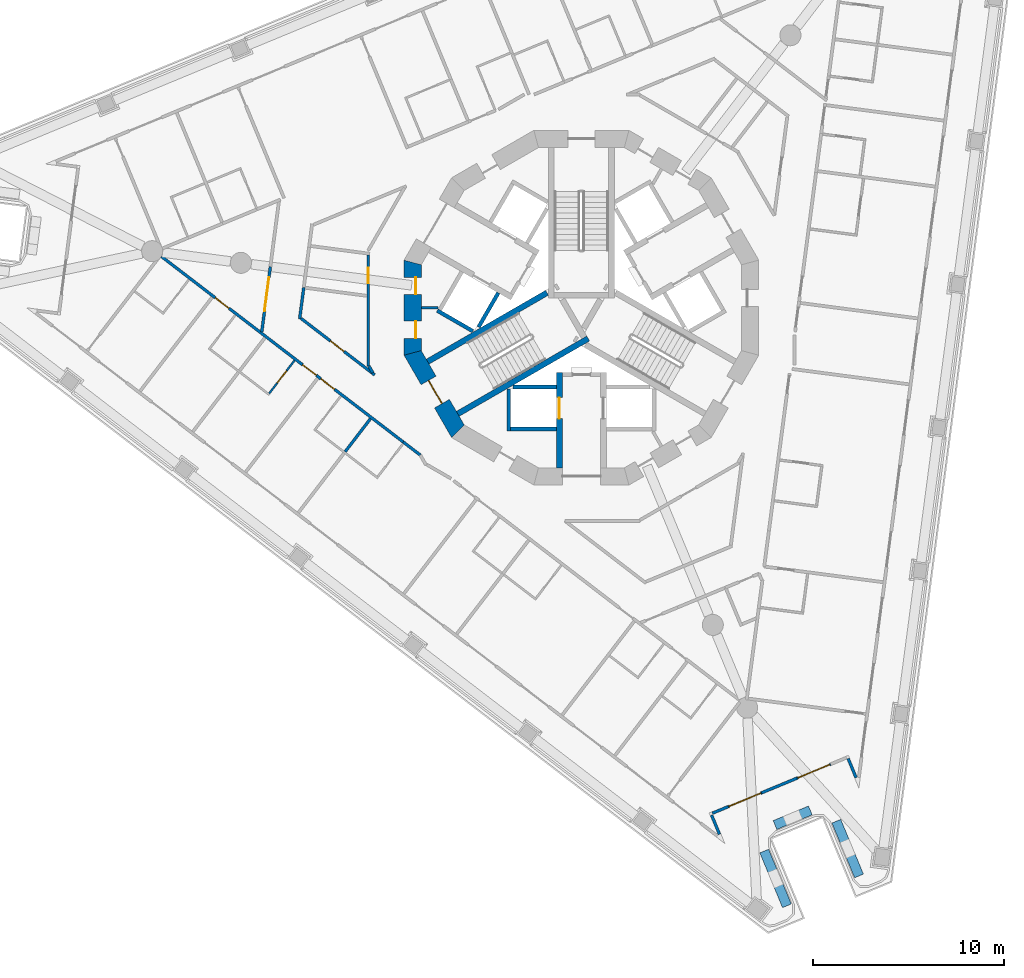
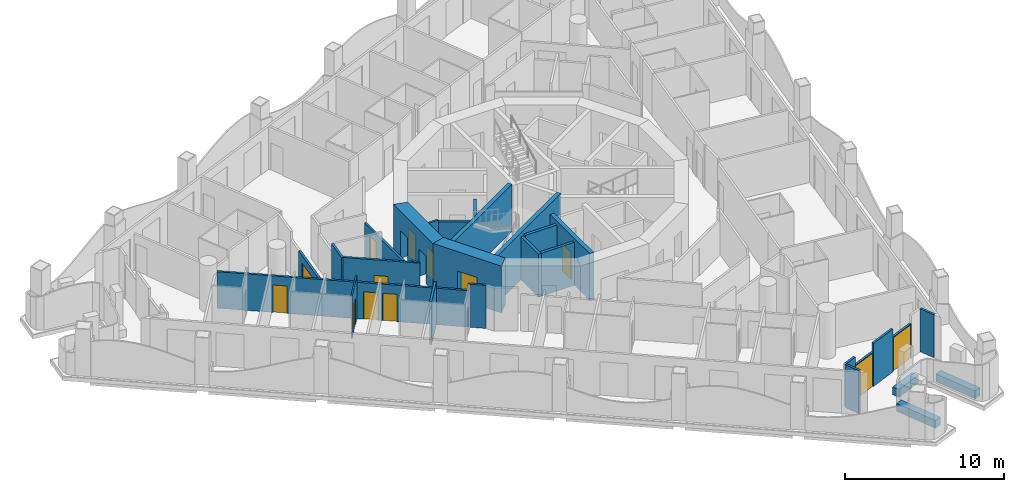
# One storey, part 3 of 18: 29 walls, 13 doors, 13 openings.
"""IFC4 building model written with IfcOpenShell, lengths in metres."""

import ifcopenshell
import ifcopenshell.guid

model = None  # the IFC model being written
_history = None  # IfcOwnerHistory: only IFC2X3 demands one
_inside = {}  # id of a spatial element -> (the spatial element, [elements in it])
_under = {}  # id of a project, library or spatial element -> (it, [spatial elements below it])
_declared = {}  # id of a project -> (the project, [libraries it declares])
_typed = {}  # id of a type object -> (the type object, [elements of that type])
_made_of = {}  # id of a material, layer set ... -> (it, [elements and type objects made of it])


def new_model(schema):
    """Start an empty IFC model of exactly this schema.

    Asked for "IFC4X3", IfcOpenShell would pick the latest addendum, in which some entities
    have other attributes; the version numbers below select the first issue.
    IFC2X3 requires an IfcOwnerHistory on every rooted entity: one is made here for all.
    """
    global model, _history
    if schema == "IFC4X3":
        model = ifcopenshell.file(schema_version=(4, 3, 0, 0))
    else:
        model = ifcopenshell.file(schema=schema)
    _inside.clear()
    _under.clear()
    _declared.clear()
    _typed.clear()
    _made_of.clear()
    _history = None
    if model.schema == "IFC2X3":
        org = make("IfcOrganization", Name="unknown")
        user = make(
            "IfcPersonAndOrganization",
            ThePerson=make("IfcPerson", FamilyName="unknown"),
            TheOrganization=org,
        )
        app = make(
            "IfcApplication",
            ApplicationDeveloper=org,
            Version="unknown",
            ApplicationFullName="unknown",
            ApplicationIdentifier="unknown",
        )
        _history = make(
            "IfcOwnerHistory",
            OwningUser=user,
            OwningApplication=app,
            ChangeAction="ADDED",
            CreationDate=0,
        )
    return model


def make(cls, **values):
    """One entity of the class cls with the attributes given. An attribute that is None is left unset."""
    return model.create_entity(
        cls, **{name: value for name, value in values.items() if value is not None}
    )


def rooted(cls, **values):
    """An entity with a GlobalId (a new one), such as an element, a storey or a relation."""
    return make(cls, GlobalId=ifcopenshell.guid.new(), OwnerHistory=_history, **values)


def si_unit(unit_type, name, prefix=None):
    """IfcSIUnit, for example si_unit("LENGTHUNIT", "METRE", prefix="MILLI")."""
    return make("IfcSIUnit", UnitType=unit_type, Prefix=prefix, Name=name)


def assignment(units):
    """IfcUnitAssignment: the units of a project."""
    return None if units is None else make("IfcUnitAssignment", Units=units)


def point(xyz):
    """IfcCartesianPoint."""
    return None if xyz is None else make("IfcCartesianPoint", Coordinates=xyz)


def direction(xyz):
    """IfcDirection."""
    return None if xyz is None else make("IfcDirection", DirectionRatios=xyz)


def frame(location, z_axis=None, x_axis=None):
    """IfcAxis2Placement3D, a coordinate frame: its origin and axes. An axis left out is left unset."""
    return make(
        "IfcAxis2Placement3D",
        Location=point(location),
        Axis=direction(z_axis),
        RefDirection=direction(x_axis),
    )


def frame_2d(location, x_axis=None):
    """IfcAxis2Placement2D, a coordinate frame in the plane: its origin and x axis."""
    return make(
        "IfcAxis2Placement2D", Location=point(location), RefDirection=direction(x_axis)
    )


def origin():
    """The frame at (0, 0, 0) with its axes left unset."""
    return frame((0.0, 0.0, 0.0))


def place(relative_to, where):
    """IfcLocalPlacement: puts the frame where relative to a parent placement (None: the world)."""
    return make(
        "IfcLocalPlacement", PlacementRelTo=relative_to, RelativePlacement=where
    )


def context(
    kind, dimensions, precision=None, world=None, true_north=None, identifier=None
):
    """IfcGeometricRepresentationContext, for example the 3D "Model" context."""
    return make(
        "IfcGeometricRepresentationContext",
        ContextIdentifier=identifier,
        ContextType=kind,
        CoordinateSpaceDimension=dimensions,
        Precision=precision,
        WorldCoordinateSystem=world,
        TrueNorth=true_north,
    )


def subcontext(parent, identifier, kind, view, scale=None):
    """IfcGeometricRepresentationSubContext, for example "Body" below "Model"."""
    return make(
        "IfcGeometricRepresentationSubContext",
        ContextIdentifier=identifier,
        ContextType=kind,
        ParentContext=parent,
        TargetScale=scale,
        TargetView=view,
    )


def project(units=None, contexts=None):
    """IfcProject with its units and contexts."""
    return rooted(
        "IfcProject",
        Name="project",
        RepresentationContexts=contexts,
        UnitsInContext=assignment(units),
    )


def spatial(cls, under=None, at=None, **own):
    """A site, building, storey or space (cls), placed at a placement, below another one or the project."""
    s = rooted(cls, ObjectPlacement=at, **own)
    if under is not None:
        _under.setdefault(under.id(), (under, []))[1].append(s)
    return s


def polyline(points):
    """IfcPolyline through the points."""
    return make("IfcPolyline", Points=[point(p) for p in points])


def profile(cls, at=None, kind="AREA", **sizes):
    """A parametric profile (cls). Its sizes go by their IFC names, for example OverallWidth=200.0."""
    return make(cls, ProfileType=kind, Position=at, **sizes)


def rectangle(**sizes):
    """IfcRectangleProfileDef."""
    return profile("IfcRectangleProfileDef", **sizes)


def outline(outer, holes=None, kind="AREA"):
    """IfcArbitraryClosedProfileDef: a profile drawn as a closed curve; with holes, ...WithVoids."""
    if holes is None:
        return make("IfcArbitraryClosedProfileDef", ProfileType=kind, OuterCurve=outer)
    return make(
        "IfcArbitraryProfileDefWithVoids",
        ProfileType=kind,
        OuterCurve=outer,
        InnerCurves=holes,
    )


def extrude(swept, where, along, depth):
    """IfcExtrudedAreaSolid: the profile swept, set in the frame where, extruded along a direction by depth."""
    return make(
        "IfcExtrudedAreaSolid",
        SweptArea=swept,
        Position=where,
        ExtrudedDirection=direction(along),
        Depth=depth,
    )


def shape(context_of_items, identifier, shape_type, items):
    """IfcShapeRepresentation: the items that make up one representation, for example the "Body"."""
    return make(
        "IfcShapeRepresentation",
        ContextOfItems=context_of_items,
        RepresentationIdentifier=identifier,
        RepresentationType=shape_type,
        Items=items,
    )


def material(Name=None, Category=None):
    """IfcMaterial."""
    return make("IfcMaterial", Name=Name, Category=Category)


def layer(
    of_material, thickness, ventilated=None, Name=None, Category=None, Priority=None
):
    """IfcMaterialLayer: one layer of a wall or slab, of a material (None: an air gap)."""
    return make(
        "IfcMaterialLayer",
        Material=of_material,
        LayerThickness=thickness,
        IsVentilated=ventilated,
        Name=Name,
        Category=Category,
        Priority=Priority,
    )


def layer_set(layers, Name=None):
    """IfcMaterialLayerSet."""
    return make("IfcMaterialLayerSet", MaterialLayers=layers, LayerSetName=Name)


def made_of(thing, what):
    """Note that an element or type object is made of a material, layer set ...; save() writes the relation."""
    if what is not None:
        _made_of.setdefault(what.id(), (what, []))[1].append(thing)
    return thing


def type_object(cls, material=None, **own):
    """A type object (cls), such as IfcWallType, which elements share."""
    return made_of(rooted(cls, **own), material)


def element(
    cls,
    number,
    at=None,
    inside=None,
    cuts=None,
    type_object=None,
    material=None,
    context=None,
    identifier="Body",
    shape_type=None,
    held_by="IfcProductDefinitionShape",
    body=None,
    shapes=None,
    **own,
):
    """One element of the class cls, such as IfcWall. Its Tag is "e" and its number.

    at: its placement. inside: the storey or other place that contains it. cuts: it is an
    opening in that element (IfcRelVoidsElement). A single representation is given by context,
    identifier, shape_type and body (its items); several are given by shapes. held_by: the class
    of the entity that holds the representations. save() writes the other relations.
    """
    e = rooted(cls, Tag="e%d" % number, ObjectPlacement=at, **own)
    if body is not None:
        shapes = [shape(context, identifier, shape_type, body)]
    if shapes is not None:
        e.Representation = make(held_by, Representations=shapes)
    if inside is not None:
        _inside.setdefault(inside.id(), (inside, []))[1].append(e)
    if cuts is not None:
        rooted(
            "IfcRelVoidsElement", RelatingBuildingElement=cuts, RelatedOpeningElement=e
        )
    if type_object is not None:
        _typed.setdefault(type_object.id(), (type_object, []))[1].append(e)
    return made_of(e, material)


def fill(opening, filler):
    """IfcRelFillsElement: the door or window that sits in an opening."""
    return rooted(
        "IfcRelFillsElement",
        RelatingOpeningElement=opening,
        RelatedBuildingElement=filler,
    )


def aggregate(whole, parts):
    """IfcRelAggregates: a whole, such as a stair, and the parts it consists of."""
    return rooted("IfcRelAggregates", RelatingObject=whole, RelatedObjects=parts)


def save(model, path):
    """Write the relations noted so far, then the file.

    IfcRelAggregates (storeys below a building ...), IfcRelContainedInSpatialStructure (elements
    in a storey), IfcRelDefinesByType, IfcRelAssociatesMaterial and IfcRelDeclares: one each for
    every whole, place, type object, material and project.
    """
    for whole, parts in _under.values():
        aggregate(whole, parts)
    for where, things in _inside.values():
        rooted(
            "IfcRelContainedInSpatialStructure",
            RelatedElements=things,
            RelatingStructure=where,
        )
    for kind, things in _typed.values():
        rooted("IfcRelDefinesByType", RelatedObjects=things, RelatingType=kind)
    for what, things in _made_of.values():
        rooted("IfcRelAssociatesMaterial", RelatedObjects=things, RelatingMaterial=what)
    for by, libraries in _declared.values():
        rooted("IfcRelDeclares", RelatingContext=by, RelatedDefinitions=libraries)
    model.write(path)


model = new_model("IFC4")

# Units and contexts
model_context = context("Model", 3, precision=1e-05, world=origin(), true_north=direction((0.0, 1.0)))
body_context = subcontext(model_context, "Body", "Model", "MODEL_VIEW")
ifc_project = project(units=[si_unit("LENGTHUNIT", "METRE"), si_unit("AREAUNIT", "SQUARE_METRE"), si_unit("VOLUMEUNIT", "CUBIC_METRE"), si_unit("PLANEANGLEUNIT", "RADIAN"), si_unit("MASSUNIT", "GRAM", prefix="KILO")], contexts=[model_context])

# Site, building, storey
site_placement = place(None, origin())
site = spatial("IfcSite", under=ifc_project, at=site_placement, CompositionType="ELEMENT")
building_placement = place(site_placement, origin())
building = spatial("IfcBuilding", under=site, at=building_placement, Name="Trine Commons Tower", CompositionType="ELEMENT")
storey_placement = place(building_placement, frame((0.0, 0.0, 142.199951171875)))
storey = spatial("IfcBuildingStorey", under=building, at=storey_placement, Name="L36", CompositionType="ELEMENT", Elevation=142.199951171875)

# Walls
ifc_material_1 = material(Name="Plasterboard partition on steel studs", Category="steel")
ifc_layer_1 = layer(ifc_material_1, 0.14990234375)
ifc_layer_set_1 = layer_set([ifc_layer_1], Name="Plasterboard partition on steel studs")
wall_type_1 = type_object("IfcWallType", Name="Core room partition 150 mm, EI 60", PredefinedType="PARTITIONING", material=ifc_layer_set_1)
wall_1_placement = place(storey_placement, frame((71.626953125, 62.5, 0.0), z_axis=(0.0, 0.0, 1.0), x_axis=(1.0, 0.0, 0.0)))
element("IfcWall", 1, at=wall_1_placement, inside=storey, type_object=wall_type_1, Name="Core room partition L36", PredefinedType="PARTITIONING", context=body_context, shape_type="SweptSolid", body=[
    extrude(rectangle(XDim=0.882080078125, YDim=0.14990234375, at=frame_2d((0.44091796875, 0.0))), origin(), (0.0, 0.0, 1.0), 3.300048828125),
])
ifc_material_2 = material(Name="Aluminium-framed insulated wall panel", Category="aluminium")
ifc_layer_2 = layer(ifc_material_2, 0.14990234375)
ifc_layer_set_2 = layer_set([ifc_layer_2], Name="Aluminium-framed insulated wall panel")
wall_type_2 = type_object("IfcWallType", Name="Glazed frame wall 150, EI 60", PredefinedType="SOLIDWALL", material=ifc_layer_set_2)
wall_2_placement = place(storey_placement, frame((94.42041015625, 37.78564453125, 0.0), z_axis=(0.0, 0.0, 1.0), x_axis=(-0.382629665579, 0.923901801611, 0.0)))
element("IfcWall", 2, at=wall_2_placement, inside=storey, type_object=wall_type_2, Name="Glazed frame wall R9", PredefinedType="SOLIDWALL", context=body_context, shape_type="SweptSolid", body=[
    extrude(outline(polyline([(0.1494140625, 0.074951171875), (0.1494140625, -0.074951171875), (1.235107421875, -0.074951171875), (1.235107421875, 0.074951171875), (0.1494140625, 0.074951171875)])), origin(), (0.0, 0.0, 1.0), 3.300048828125),
])

# Wall, opening, door
wall_3_placement = place(storey_placement, frame((93.027587890625, 38.626708984375, 0.0), z_axis=(0.0, 0.0, 1.0), x_axis=(-0.923888414498, -0.382661988648, 0.0)))
wall_3 = element("IfcWall", 3, at=wall_3_placement, inside=storey, type_object=wall_type_2, Name="Glazed frame wall P3.2", PredefinedType="SOLIDWALL", context=body_context, shape_type="SweptSolid", body=[
    extrude(outline(polyline([(0.0, -0.074951171875), (1.89990234375, -0.074951171875), (1.89990234375, 0.074951171875), (0.0, 0.074951171875), (0.0, -0.074951171875)])), origin(), (0.0, 0.0, 1.0), 2.650146484375),
])
opening_1_placement = place(wall_3_placement, frame((0.050048828125, 0.0, 0.0)))
opening_1 = element("IfcOpeningElement", 4, at=opening_1_placement, cuts=wall_3, Name="Opening BD-4P3-01", PredefinedType="OPENING", context=body_context, shape_type="SweptSolid", body=[
    extrude(rectangle(XDim=1.800048828125, YDim=2.60009765625, at=frame_2d((0.89990234375, 1.300048828125))), frame((0.0, 0.0849609375, 0.0), z_axis=(0.0, -1.0, 0.0), x_axis=(1.0, 0.0, 0.0)), (0.0, 0.0, 1.0), 0.169921875),
])
ifc_material_3 = material(Name="Anodised aluminium frame with double glazing", Category="aluminium")
door_type_1 = type_object("IfcDoorType", Name="Sliding loggia door 1800x2600", OperationType="SLIDING_TO_LEFT", PredefinedType="DOOR", material=ifc_material_3)
door_1_placement = place(opening_1_placement, origin())
door_1 = element("IfcDoor", 5, at=door_1_placement, inside=storey, type_object=door_type_1, Name="Loggia door P3 1", OperationType="SLIDING_TO_LEFT", OverallHeight=2.60009765625, OverallWidth=1.800048828125, PredefinedType="DOOR", context=body_context, shape_type="SweptSolid", body=[
    extrude(rectangle(XDim=1.800048828125, YDim=2.60009765625, at=frame_2d((0.89990234375, 1.300048828125))), frame((0.0, 0.02490234375, 0.0), z_axis=(0.0, -1.0, 0.0), x_axis=(1.0, 0.0, 0.0)), (0.0, 0.0, 1.0), 0.050048828125),
])
fill(opening_1, door_1)

# Wall
wall_4_placement = place(storey_placement, frame((91.272216796875, 37.899658203125, 0.0), z_axis=(0.0, 0.0, 1.0), x_axis=(-0.923887406181, -0.382664423091, 0.0)))
element("IfcWall", 6, at=wall_4_placement, inside=storey, type_object=wall_type_2, Name="Glazed frame wall P3.3", PredefinedType="SOLIDWALL", context=body_context, shape_type="SweptSolid", body=[
    extrude(outline(polyline([(0.0, -0.074951171875), (2.0, -0.074951171875), (2.0, 0.074951171875), (0.0, 0.074951171875), (0.0, -0.074951171875)])), origin(), (0.0, 0.0, 1.0), 3.300048828125),
])

# Wall, opening, door
wall_5_placement = place(storey_placement, frame((89.42431640625, 37.13427734375, 0.0), z_axis=(0.0, 0.0, 1.0), x_axis=(-0.923869595408, -0.382707421773, 0.0)))
wall_5 = element("IfcWall", 7, at=wall_5_placement, inside=storey, type_object=wall_type_2, Name="Glazed frame wall P3.4", PredefinedType="SOLIDWALL", context=body_context, shape_type="SweptSolid", body=[
    extrude(outline(polyline([(0.0, -0.074951171875), (1.89990234375, -0.074951171875), (1.89990234375, 0.074951171875), (0.0, 0.074951171875), (0.0, -0.074951171875)])), origin(), (0.0, 0.0, 1.0), 2.650146484375),
])
opening_2_placement = place(wall_5_placement, frame((0.050048828125, 0.0, 0.0)))
opening_2 = element("IfcOpeningElement", 8, at=opening_2_placement, cuts=wall_5, Name="Opening BD-4P3-02", PredefinedType="OPENING", context=body_context, shape_type="SweptSolid", body=[
    extrude(rectangle(XDim=1.800048828125, YDim=2.60009765625, at=frame_2d((0.89990234375, 1.300048828125))), frame((0.0, 0.0849609375, 0.0), z_axis=(0.0, -1.0, 0.0), x_axis=(1.0, 0.0, 0.0)), (0.0, 0.0, 1.0), 0.169921875),
])
door_2_placement = place(opening_2_placement, origin())
door_2 = element("IfcDoor", 9, at=door_2_placement, inside=storey, type_object=door_type_1, Name="Loggia door P3 2", OperationType="SLIDING_TO_LEFT", OverallHeight=2.60009765625, OverallWidth=1.800048828125, PredefinedType="DOOR", context=body_context, shape_type="SweptSolid", body=[
    extrude(rectangle(XDim=1.800048828125, YDim=2.60009765625, at=frame_2d((0.89990234375, 1.300048828125))), frame((0.0, 0.02490234375, 0.0), z_axis=(0.0, -1.0, 0.0), x_axis=(1.0, 0.0, 0.0)), (0.0, 0.0, 1.0), 0.050048828125),
])
fill(opening_2, door_2)

# Walls
wall_6_placement = place(storey_placement, frame((87.669189453125, 36.4072265625, 0.0), z_axis=(0.0, 0.0, 1.0), x_axis=(-0.923862128325, -0.382725447084, 0.0)))
element("IfcWall", 10, at=wall_6_placement, inside=storey, type_object=wall_type_2, Name="Glazed frame wall P3.5", PredefinedType="SOLIDWALL", context=body_context, shape_type="SweptSolid", body=[
    extrude(outline(polyline([(0.889892578125, 0.074951171875), (0.0, 0.074951171875), (0.0, -0.074951171875), (0.889892578125, -0.074951171875), (0.889892578125, 0.074951171875)])), origin(), (0.0, 0.0, 1.0), 3.300048828125),
])
wall_7_placement = place(storey_placement, frame((86.76416015625, 36.0703125, 0.0), z_axis=(0.0, 0.0, 1.0), x_axis=(0.382629665579, -0.923901801611, 0.0)))
element("IfcWall", 11, at=wall_7_placement, inside=storey, type_object=wall_type_2, Name="Glazed frame wall R11", PredefinedType="SOLIDWALL", context=body_context, shape_type="SweptSolid", body=[
    extrude(outline(polyline([(0.110107421875, 0.074951171875), (0.110107421875, -0.074951171875), (1.19580078125, -0.074951171875), (1.19580078125, 0.074951171875), (0.110107421875, 0.074951171875)])), origin(), (0.0, 0.0, 1.0), 3.300048828125),
])
ifc_material_4 = material(Name="Planter trough, precast concrete C40/50", Category="concrete")
ifc_layer_3 = layer(ifc_material_4, 0.5)
ifc_layer_set_3 = layer_set([ifc_layer_3], Name="Planter trough, precast concrete C40/50")
wall_type_3 = type_object("IfcWallType", Name="Planter trough 500x600", PredefinedType="PARAPET", material=ifc_layer_set_3)
wall_8_placement = place(storey_placement, frame((94.515625, 32.78662109375, 0.0), z_axis=(0.0, 0.0, 1.0), x_axis=(-0.382674068277, 0.923883411188, 0.0)))
element("IfcWall", 12, at=wall_8_placement, inside=storey, type_object=wall_type_3, Name="Planter 7", PredefinedType="PARAPET", context=body_context, shape_type="SweptSolid", body=[
    extrude(rectangle(XDim=3.099853515625, YDim=0.5, at=frame_2d((1.5498046875, 0.0))), origin(), (0.0, 0.0, 1.0), 0.60009765625),
])
wall_9_placement = place(storey_placement, frame((91.970703125, 36.21337890625, 0.0), z_axis=(0.0, 0.0, 1.0), x_axis=(-0.923930555985, -0.382560227567, 0.0)))
element("IfcWall", 13, at=wall_9_placement, inside=storey, type_object=wall_type_3, Name="Planter 8", PredefinedType="PARAPET", context=body_context, shape_type="SweptSolid", body=[
    extrude(rectangle(XDim=2.0, YDim=0.5, at=frame_2d((1.0, 0.0))), origin(), (0.0, 0.0, 1.0), 0.60009765625),
])
wall_10_placement = place(storey_placement, frame((89.56005859375, 34.08935546875, 0.0), z_axis=(0.0, 0.0, 1.0), x_axis=(0.382674068277, -0.923883411188, 0.0)))
element("IfcWall", 14, at=wall_10_placement, inside=storey, type_object=wall_type_3, Name="Planter 9", PredefinedType="PARAPET", context=body_context, shape_type="SweptSolid", body=[
    extrude(rectangle(XDim=3.099853515625, YDim=0.5, at=frame_2d((1.5498046875, 0.0))), origin(), (0.0, 0.0, 1.0), 0.60009765625),
])

# Wall, opening, door
ifc_material_5 = material(Name="Concrete C70/85", Category="concrete")
ifc_layer_4 = layer(ifc_material_5, 0.300048828125)
ifc_layer_set_4 = layer_set([ifc_layer_4], Name="Concrete C70/85")
wall_type_4 = type_object("IfcWallType", Name="RC shear wall 300 mm, C70/85", PredefinedType="SHEAR", material=ifc_layer_set_4)
wall_11_placement = place(storey_placement, frame((78.85009765625, 59.10009765625, 0.0), z_axis=(0.0, 0.0, 1.0), x_axis=(0.0, -1.0, 0.0)))
wall_11 = element("IfcWall", 15, at=wall_11_placement, inside=storey, type_object=wall_type_4, Name="Core cross wall SWB-03 L36", PredefinedType="SHEAR", context=body_context, shape_type="SweptSolid", body=[
    extrude(rectangle(XDim=4.97314453125, YDim=0.300048828125, at=frame_2d((2.486572265625, 0.0))), origin(), (0.0, 0.0, 1.0), 3.60009765625),
])
opening_3_placement = place(wall_11_placement, frame((1.300048828125, 0.0, 0.0)))
opening_3 = element("IfcOpeningElement", 16, at=opening_3_placement, cuts=wall_11, Name="Opening LD10", PredefinedType="OPENING", context=body_context, shape_type="SweptSolid", body=[
    extrude(rectangle(XDim=1.10009765625, YDim=2.10009765625, at=frame_2d((0.550048828125, 1.050048828125))), frame((0.0, 0.159912109375, 0.0), z_axis=(0.0, -1.0, 0.0), x_axis=(1.0, 0.0, 0.0)), (0.0, 0.0, 1.0), 0.320068359375),
])
ifc_material_6 = material(Name="Stainless steel sliding door leaves", Category="steel")
door_type_2 = type_object("IfcDoorType", Name="Lift landing door, centre-opening sliding 1100 x 2100, FD90", OperationType="DOUBLE_DOOR_SLIDING", PredefinedType="DOOR", material=ifc_material_6)
door_3_placement = place(opening_3_placement, origin())
door_3 = element("IfcDoor", 17, at=door_3_placement, inside=storey, type_object=door_type_2, Name="Lift landing door FF2 L36", OperationType="DOUBLE_DOOR_SLIDING", OverallHeight=2.10009765625, OverallWidth=1.10009765625, PredefinedType="DOOR", context=body_context, shape_type="SweptSolid", body=[
    extrude(rectangle(XDim=1.10009765625, YDim=2.10009765625, at=frame_2d((0.550048828125, 1.050048828125))), frame((0.0, 0.02490234375, 0.0), z_axis=(0.0, -1.0, 0.0), x_axis=(1.0, 0.0, 0.0)), (0.0, 0.0, 1.0), 0.050048828125),
])
fill(opening_3, door_3)

# Walls
wall_12_placement = place(storey_placement, frame((78.199951171875, 63.280029296875, 0.0), z_axis=(0.0, 0.0, 1.0), x_axis=(-0.866028135082, -0.499995269223, 0.0)))
element("IfcWall", 18, at=wall_12_placement, inside=storey, type_object=wall_type_4, Name="Core cross wall SWB-07 L36", PredefinedType="SHEAR", context=body_context, shape_type="SweptSolid", body=[
    extrude(rectangle(XDim=7.2041015625, YDim=0.300048828125, at=frame_2d((3.60205078125, 0.0))), origin(), (0.0, 0.0, 1.0), 3.60009765625),
])
wall_13_placement = place(storey_placement, frame((80.35400390625, 60.885986328125, 0.0), z_axis=(0.0, 0.0, 1.0), x_axis=(-0.866047706748, -0.499961368145, 0.0)))
element("IfcWall", 19, at=wall_13_placement, inside=storey, type_object=wall_type_4, Name="Core cross wall SWB-14 L36", PredefinedType="SHEAR", context=body_context, shape_type="SweptSolid", body=[
    extrude(rectangle(XDim=7.87255859375, YDim=0.300048828125, at=frame_2d((3.936279296875, 0.0))), origin(), (0.0, 0.0, 1.0), 3.60009765625),
])

# Wall, openings, doors
ifc_layer_5 = layer(ifc_material_5, 0.89990234375)
ifc_layer_set_5 = layer_set([ifc_layer_5], Name="Concrete C70/85")
wall_type_5 = type_object("IfcWallType", Name="RC shear wall 900 mm, C70/85", PredefinedType="SHEAR", material=ifc_layer_set_5)
wall_14_placement = place(storey_placement, frame((71.177001953125, 64.984619140625, 0.0), z_axis=(0.0, 0.0, 1.0), x_axis=(0.0, -1.0, 0.0)))
wall_14 = element("IfcWall", 20, at=wall_14_placement, inside=storey, type_object=wall_type_5, Name="Core wall CWD-07 L36", PredefinedType="SHEAR", context=body_context, shape_type="SweptSolid", body=[
    extrude(outline(polyline([(0.0, -0.449951171875), (4.969482421875, -0.449951171875), (4.728271484375, 0.449951171875), (0.2412109375, 0.449951171875), (0.0, -0.449951171875)])), origin(), (0.0, 0.0, 1.0), 3.60009765625),
])
opening_4_placement = place(wall_14_placement, frame((0.893798828125, 0.0, 0.0)))
opening_4 = element("IfcOpeningElement", 21, at=opening_4_placement, cuts=wall_14, Name="Opening K11.14", PredefinedType="OPENING", context=body_context, shape_type="SweptSolid", body=[
    extrude(rectangle(XDim=0.89990234375, YDim=2.10009765625, at=frame_2d((0.449951171875, 1.050048828125))), frame((0.0, 0.4599609375, 0.0), z_axis=(0.0, -1.0, 0.0), x_axis=(1.0, 0.0, 0.0)), (0.0, 0.0, 1.0), 0.919921875),
])
opening_5_placement = place(wall_14_placement, frame((3.184814453125, 0.0, 0.0)))
opening_5 = element("IfcOpeningElement", 22, at=opening_5_placement, cuts=wall_14, Name="Opening K11.15", PredefinedType="OPENING", context=body_context, shape_type="SweptSolid", body=[
    extrude(rectangle(XDim=0.89990234375, YDim=2.10009765625, at=frame_2d((0.449951171875, 1.050048828125))), frame((0.0, 0.4599609375, 0.0), z_axis=(0.0, -1.0, 0.0), x_axis=(1.0, 0.0, 0.0)), (0.0, 0.0, 1.0), 0.919921875),
])
ifc_material_7 = material(Name="Steel door leaf, fire-rated", Category="steel")
door_type_3 = type_object("IfcDoorType", Name="Core room door, single leaf 900 x 2100, FD30S", OperationType="SINGLE_SWING_LEFT", PredefinedType="DOOR", material=ifc_material_7)
door_4_placement = place(opening_4_placement, origin())
door_4 = element("IfcDoor", 23, at=door_4_placement, inside=storey, type_object=door_type_3, Name="Door to Cleaner's store L36", OperationType="SINGLE_SWING_LEFT", OverallHeight=2.10009765625, OverallWidth=0.89990234375, PredefinedType="DOOR", context=body_context, shape_type="SweptSolid", body=[
    extrude(rectangle(XDim=0.89990234375, YDim=2.10009765625, at=frame_2d((0.449951171875, 1.050048828125))), frame((0.0, 0.1748046875, 0.0), z_axis=(0.0, -1.0, 0.0), x_axis=(1.0, 0.0, 0.0)), (0.0, 0.0, 1.0), 0.050048828125),
])
fill(opening_4, door_4)
door_5_placement = place(opening_5_placement, origin())
door_5 = element("IfcDoor", 24, at=door_5_placement, inside=storey, type_object=door_type_3, Name="Door to Accessible WC L36", OperationType="SINGLE_SWING_RIGHT", OverallHeight=2.10009765625, OverallWidth=0.89990234375, PredefinedType="DOOR", context=body_context, shape_type="SweptSolid", body=[
    extrude(rectangle(XDim=0.89990234375, YDim=2.10009765625, at=frame_2d((0.449951171875, 1.050048828125))), frame((0.0, 0.1748046875, 0.0), z_axis=(0.0, -1.0, 0.0), x_axis=(1.0, 0.0, 0.0)), (0.0, 0.0, 1.0), 0.050048828125),
])
fill(opening_5, door_5)

# Wall, opening, door
wall_15_placement = place(storey_placement, frame((71.11669921875, 60.240234375, 0.0), z_axis=(0.0, 0.0, 1.0), x_axis=(0.500038571144, -0.866003133579, 0.0)))
wall_15 = element("IfcWall", 25, at=wall_15_placement, inside=storey, type_object=wall_type_5, Name="Core wall CWD-08 L36", PredefinedType="SHEAR", context=body_context, shape_type="SweptSolid", body=[
    extrude(outline(polyline([(0.0, -0.449951171875), (4.96923828125, -0.449951171875), (4.72802734375, 0.449951171875), (0.2412109375, 0.449951171875), (0.0, -0.449951171875)])), origin(), (0.0, 0.0, 1.0), 3.60009765625),
])
opening_6_placement = place(wall_15_placement, frame((1.78466796875, 0.0, 0.0)))
opening_6 = element("IfcOpeningElement", 26, at=opening_6_placement, cuts=wall_15, Name="Opening K11.02", PredefinedType="OPENING", context=body_context, shape_type="SweptSolid", body=[
    extrude(rectangle(XDim=1.39990234375, YDim=2.10009765625, at=frame_2d((0.699951171875, 1.050048828125))), frame((0.0, 0.4599609375, 0.0), z_axis=(0.0, -1.0, 0.0), x_axis=(1.0, 0.0, 0.0)), (0.0, 0.0, 1.0), 0.919921875),
])
ifc_material_8 = material(Name="Steel door leaves, fire-rated", Category="steel")
door_type_4 = type_object("IfcDoorType", Name="Stair door, double leaf 1400 x 2100, FD90", OperationType="DOUBLE_DOOR_SINGLE_SWING", PredefinedType="DOOR", material=ifc_material_8)
door_6_placement = place(opening_6_placement, origin())
door_6 = element("IfcDoor", 27, at=door_6_placement, inside=storey, type_object=door_type_4, Name="Stair door to Exit stair ST2B L36", OperationType="DOUBLE_DOOR_SINGLE_SWING", OverallHeight=2.10009765625, OverallWidth=1.39990234375, PredefinedType="DOOR", context=body_context, shape_type="SweptSolid", body=[
    extrude(rectangle(XDim=1.39990234375, YDim=2.10009765625, at=frame_2d((0.699951171875, 1.050048828125))), frame((0.0, 0.02490234375, 0.0), z_axis=(0.0, -1.0, 0.0), x_axis=(1.0, 0.0, 0.0)), (0.0, 0.0, 1.0), 0.050048828125),
])
fill(opening_6, door_6)

# Walls
ifc_material_9 = material(Name="Fire-rated gypsum shaft wall system")
ifc_layer_6 = layer(ifc_material_9, 0.199951171875)
ifc_layer_set_6 = layer_set([ifc_layer_6], Name="Fire-rated gypsum shaft wall system")
wall_type_6 = type_object("IfcWallType", Name="Shaft wall 200 mm, EI 120", PredefinedType="PARTITIONING", material=ifc_layer_set_6)
wall_16_placement = place(storey_placement, frame((74.324951171875, 61.27392578125, 0.0), z_axis=(0.0, 0.0, 1.0), x_axis=(-0.866102336459, 0.499866725018, 0.0)))
element("IfcWall", 28, at=wall_16_placement, inside=storey, type_object=wall_type_6, Name="Shaft wall L36", PredefinedType="PARTITIONING", context=body_context, shape_type="SweptSolid", body=[
    extrude(rectangle(XDim=2.1484375, YDim=0.199951171875, at=frame_2d((1.07421875, 0.0))), origin(), (0.0, 0.0, 1.0), 3.300048828125),
])
wall_17_placement = place(storey_placement, frame((75.656005859375, 63.27587890625, 0.0), z_axis=(0.0, 0.0, 1.0), x_axis=(-0.500271688072, -0.86586848777, 0.0)))
element("IfcWall", 29, at=wall_17_placement, inside=storey, type_object=wall_type_6, Name="Shaft wall L36", PredefinedType="PARTITIONING", context=body_context, shape_type="SweptSolid", body=[
    extrude(rectangle(XDim=2.064697265625, YDim=0.199951171875, at=frame_2d((1.0322265625, 0.0))), origin(), (0.0, 0.0, 1.0), 3.300048828125),
])
wall_18_placement = place(storey_placement, frame((76.199951171875, 58.257080078125, 0.0), z_axis=(0.0, 0.0, 1.0), x_axis=(0.0, -1.0, 0.0)))
element("IfcWall", 30, at=wall_18_placement, inside=storey, type_object=wall_type_6, Name="Shaft wall L36", PredefinedType="PARTITIONING", context=body_context, shape_type="SweptSolid", body=[
    extrude(rectangle(XDim=2.20703125, YDim=0.199951171875, at=frame_2d((1.103515625, 0.0))), origin(), (0.0, 0.0, 1.0), 3.300048828125),
])
wall_19_placement = place(storey_placement, frame((78.699951171875, 56.14990234375, 0.0), z_axis=(0.0, 0.0, 1.0), x_axis=(-1.0, 0.0, 0.0)))
element("IfcWall", 31, at=wall_19_placement, inside=storey, type_object=wall_type_6, Name="Shaft wall L36", PredefinedType="PARTITIONING", context=body_context, shape_type="SweptSolid", body=[
    extrude(rectangle(XDim=2.39990234375, YDim=0.199951171875, at=frame_2d((1.199951171875, 0.0))), origin(), (0.0, 0.0, 1.0), 3.300048828125),
])
wall_20_placement = place(storey_placement, frame((78.699951171875, 58.35009765625, 0.0), z_axis=(0.0, 0.0, 1.0), x_axis=(-1.0, 0.0, 0.0)))
element("IfcWall", 32, at=wall_20_placement, inside=storey, type_object=wall_type_6, Name="Shaft wall L36", PredefinedType="PARTITIONING", context=body_context, shape_type="SweptSolid", body=[
    extrude(rectangle(XDim=2.264892578125, YDim=0.199951171875, at=frame_2d((1.13232421875, 0.0))), origin(), (0.0, 0.0, 1.0), 3.300048828125),
])

# Wall, openings, doors
ifc_material_10 = material(Name="Gypsum plasterboard on steel stud", Category="steel")
ifc_layer_7 = layer(ifc_material_10, 0.14990234375)
ifc_layer_set_7 = layer_set([ifc_layer_7], Name="Gypsum plasterboard on steel stud")
wall_type_7 = type_object("IfcWallType", Name="Unit and corridor wall 150 mm, EI 60", PredefinedType="PARTITIONING", material=ifc_layer_set_7)
wall_21_placement = place(storey_placement, frame((58.04150390625, 65.17626953125, 0.0), z_axis=(0.0, 0.0, 1.0), x_axis=(0.793414115855, -0.608682216565, 0.0)))
wall_21 = element("IfcWall", 33, at=wall_21_placement, inside=storey, type_object=wall_type_7, Name="Partition 005", PredefinedType="PARTITIONING", context=body_context, shape_type="SweptSolid", body=[
    extrude(rectangle(XDim=15.9873046875, YDim=0.14990234375, at=frame_2d((7.99365234375, 0.0))), origin(), (0.0, 0.0, 1.0), 2.800048828125),
])
opening_7_placement = place(wall_21_placement, frame((10.50634765625, 0.0, 0.0)))
opening_7 = element("IfcOpeningElement", 34, at=opening_7_placement, cuts=wall_21, Name="Opening D-4B25", PredefinedType="OPENING", context=body_context, shape_type="SweptSolid", body=[
    extrude(rectangle(XDim=0.89990234375, YDim=2.10009765625, at=frame_2d((0.449951171875, 1.050048828125))), frame((0.0, 0.0849609375, 0.0), z_axis=(0.0, -1.0, 0.0), x_axis=(1.0, 0.0, 0.0)), (0.0, 0.0, 1.0), 0.169921875),
])
opening_8_placement = place(wall_21_placement, frame((9.306396484375, 0.0, 0.0)))
opening_8 = element("IfcOpeningElement", 35, at=opening_8_placement, cuts=wall_21, Name="Opening D-4B26", PredefinedType="OPENING", context=body_context, shape_type="SweptSolid", body=[
    extrude(rectangle(XDim=0.89990234375, YDim=2.10009765625, at=frame_2d((0.449951171875, 1.050048828125))), frame((0.0, 0.0849609375, 0.0), z_axis=(0.0, -1.0, 0.0), x_axis=(1.0, 0.0, 0.0)), (0.0, 0.0, 1.0), 0.169921875),
])
opening_9_placement = place(wall_21_placement, frame((3.55126953125, 0.0, 0.0)))
opening_9 = element("IfcOpeningElement", 36, at=opening_9_placement, cuts=wall_21, Name="Opening D-4B27", PredefinedType="OPENING", context=body_context, shape_type="SweptSolid", body=[
    extrude(rectangle(XDim=0.89990234375, YDim=2.10009765625, at=frame_2d((0.449951171875, 1.050048828125))), frame((0.0, 0.0849609375, 0.0), z_axis=(0.0, -1.0, 0.0), x_axis=(1.0, 0.0, 0.0)), (0.0, 0.0, 1.0), 0.169921875),
])
ifc_material_11 = material(Name="Timber fire door set", Category="wood")
door_type_5 = type_object("IfcDoorType", Name="Bedroom door 900 x 2100, FD30S", OperationType="NOTDEFINED", PredefinedType="DOOR", material=ifc_material_11)
door_7_placement = place(opening_7_placement, frame((0.89990234375, 0.0, 0.0), z_axis=(0.0, 0.0, 1.0), x_axis=(-1.0, 0.0, 0.0)))
door_7 = element("IfcDoor", 37, at=door_7_placement, inside=storey, type_object=door_type_5, Name="Door D-4B25", OperationType="SINGLE_SWING_LEFT", OverallHeight=2.10009765625, OverallWidth=0.89990234375, PredefinedType="DOOR", context=body_context, shape_type="SweptSolid", body=[
    extrude(rectangle(XDim=0.89990234375, YDim=2.10009765625, at=frame_2d((0.449951171875, 1.050048828125))), frame((0.0, 0.02490234375, 0.0), z_axis=(0.0, -1.0, 0.0), x_axis=(1.0, 0.0, 0.0)), (0.0, 0.0, 1.0), 0.050048828125),
])
fill(opening_7, door_7)
door_8_placement = place(opening_8_placement, frame((0.89990234375, 0.0, 0.0), z_axis=(0.0, 0.0, 1.0), x_axis=(-1.0, 0.0, 0.0)))
door_8 = element("IfcDoor", 38, at=door_8_placement, inside=storey, type_object=door_type_5, Name="Door D-4B26", OperationType="SINGLE_SWING_LEFT", OverallHeight=2.10009765625, OverallWidth=0.89990234375, PredefinedType="DOOR", context=body_context, shape_type="SweptSolid", body=[
    extrude(rectangle(XDim=0.89990234375, YDim=2.10009765625, at=frame_2d((0.449951171875, 1.050048828125))), frame((0.0, 0.02490234375, 0.0), z_axis=(0.0, -1.0, 0.0), x_axis=(1.0, 0.0, 0.0)), (0.0, 0.0, 1.0), 0.050048828125),
])
fill(opening_8, door_8)
door_9_placement = place(opening_9_placement, frame((0.89990234375, 0.0, 0.0), z_axis=(0.0, 0.0, 1.0), x_axis=(-1.0, 0.0, 0.0)))
door_9 = element("IfcDoor", 39, at=door_9_placement, inside=storey, type_object=door_type_5, Name="Door D-4B27", OperationType="SINGLE_SWING_RIGHT", OverallHeight=2.10009765625, OverallWidth=0.89990234375, PredefinedType="DOOR", context=body_context, shape_type="SweptSolid", body=[
    extrude(rectangle(XDim=0.89990234375, YDim=2.10009765625, at=frame_2d((0.449951171875, 1.050048828125))), frame((0.0, 0.02490234375, 0.0), z_axis=(0.0, -1.0, 0.0), x_axis=(1.0, 0.0, 0.0)), (0.0, 0.0, 1.0), 0.050048828125),
])
fill(opening_9, door_9)

# Wall, opening, door
wall_22_placement = place(storey_placement, frame((63.286865234375, 61.2333984375, 0.0), z_axis=(0.0, 0.0, 1.0), x_axis=(0.130693367383, 0.991422838007, 0.0)))
wall_22 = element("IfcWall", 40, at=wall_22_placement, inside=storey, type_object=wall_type_7, Name="Partition 022", PredefinedType="PARTITIONING", context=body_context, shape_type="SweptSolid", body=[
    extrude(rectangle(XDim=3.437255859375, YDim=0.14990234375, at=frame_2d((1.71875, 0.0))), origin(), (0.0, 0.0, 1.0), 2.699951171875),
])
opening_10_placement = place(wall_22_placement, frame((1.0859375, 0.0, 0.0)))
opening_10 = element("IfcOpeningElement", 41, at=opening_10_placement, cuts=wall_22, Name="Opening D-4B03", PredefinedType="OPENING", context=body_context, shape_type="SweptSolid", body=[
    extrude(rectangle(XDim=1.800048828125, YDim=2.10009765625, at=frame_2d((0.89990234375, 1.050048828125))), frame((0.0, 0.0849609375, 0.0), z_axis=(0.0, -1.0, 0.0), x_axis=(1.0, 0.0, 0.0)), (0.0, 0.0, 1.0), 0.169921875),
])
door_type_6 = type_object("IfcDoorType", Name="Cluster entrance door 1800 x 2100, double leaf, FD30S", OperationType="DOUBLE_DOOR_DOUBLE_SWING", PredefinedType="DOOR", material=ifc_material_11)
door_10_placement = place(opening_10_placement, origin())
door_10 = element("IfcDoor", 42, at=door_10_placement, inside=storey, type_object=door_type_6, Name="Door D-4B03", OperationType="DOUBLE_DOOR_DOUBLE_SWING", OverallHeight=2.10009765625, OverallWidth=1.800048828125, PredefinedType="DOOR", context=body_context, shape_type="SweptSolid", body=[
    extrude(rectangle(XDim=1.800048828125, YDim=2.10009765625, at=frame_2d((0.89990234375, 1.050048828125))), frame((0.0, 0.02490234375, 0.0), z_axis=(0.0, -1.0, 0.0), x_axis=(1.0, 0.0, 0.0)), (0.0, 0.0, 1.0), 0.050048828125),
])
fill(opening_10, door_10)

# Wall
wall_23_placement = place(storey_placement, frame((65.26708984375, 61.91259765625, 0.0), z_axis=(0.0, 0.0, 1.0), x_axis=(0.130621934677, 0.991432251937, 0.0)))
element("IfcWall", 43, at=wall_23_placement, inside=storey, type_object=wall_type_7, Name="Partition 027", PredefinedType="PARTITIONING", context=body_context, shape_type="SweptSolid", body=[
    extrude(rectangle(XDim=1.65966796875, YDim=0.14990234375, at=frame_2d((0.829833984375, 0.0))), origin(), (0.0, 0.0, 1.0), 3.300048828125),
])

# Wall, opening, door
wall_24_placement = place(storey_placement, frame((65.33642578125, 61.94140625, 0.0), z_axis=(0.0, 0.0, 1.0), x_axis=(0.79340079326, -0.608699582105, 0.0)))
wall_24 = element("IfcWall", 44, at=wall_24_placement, inside=storey, type_object=wall_type_7, Name="Partition 028", PredefinedType="PARTITIONING", context=body_context, shape_type="SweptSolid", body=[
    extrude(rectangle(XDim=4.8564453125, YDim=0.14990234375, at=frame_2d((2.42822265625, 0.0))), origin(), (0.0, 0.0, 1.0), 3.300048828125),
])
opening_11_placement = place(wall_24_placement, frame((1.940185546875, 0.0, 0.0)))
opening_11 = element("IfcOpeningElement", 45, at=opening_11_placement, cuts=wall_24, Name="Opening D-4B30", PredefinedType="OPENING", context=body_context, shape_type="SweptSolid", body=[
    extrude(rectangle(XDim=0.89990234375, YDim=2.10009765625, at=frame_2d((0.449951171875, 1.050048828125))), frame((0.0, 0.0849609375, 0.0), z_axis=(0.0, -1.0, 0.0), x_axis=(1.0, 0.0, 0.0)), (0.0, 0.0, 1.0), 0.169921875),
])
door_type_7 = type_object("IfcDoorType", Name="Service door 900 x 2100, FD30S", OperationType="NOTDEFINED", PredefinedType="DOOR", material=ifc_material_11)
door_11_placement = place(opening_11_placement, origin())
door_11 = element("IfcDoor", 46, at=door_11_placement, inside=storey, type_object=door_type_7, Name="Door D-4B30", OperationType="SINGLE_SWING_LEFT", OverallHeight=2.10009765625, OverallWidth=0.89990234375, PredefinedType="DOOR", context=body_context, shape_type="SweptSolid", body=[
    extrude(rectangle(XDim=0.89990234375, YDim=2.10009765625, at=frame_2d((0.449951171875, 1.050048828125))), frame((0.0, 0.02490234375, 0.0), z_axis=(0.0, -1.0, 0.0), x_axis=(1.0, 0.0, 0.0)), (0.0, 0.0, 1.0), 0.050048828125),
])
fill(opening_11, door_11)

# Wall
wall_25_placement = place(storey_placement, frame((67.6474609375, 54.9697265625, 0.0), z_axis=(0.0, 0.0, 1.0), x_axis=(0.608674216197, 0.79342025342, 0.0)))
element("IfcWall", 47, at=wall_25_placement, inside=storey, type_object=wall_type_7, Name="Partition 036", PredefinedType="PARTITIONING", context=body_context, shape_type="SweptSolid", body=[
    extrude(rectangle(XDim=2.17529296875, YDim=0.14990234375, at=frame_2d((1.087646484375, 0.0))), origin(), (0.0, 0.0, 1.0), 3.300048828125),
])

# Wall, opening, door
wall_26_placement = place(storey_placement, frame((68.85205078125, 59.43798828125, 0.0), z_axis=(0.0, 0.0, 1.0), x_axis=(0.0, 1.0, 0.0)))
wall_26 = element("IfcWall", 48, at=wall_26_placement, inside=storey, type_object=wall_type_7, Name="Partition 038", PredefinedType="PARTITIONING", context=body_context, shape_type="SweptSolid", body=[
    extrude(rectangle(XDim=5.820068359375, YDim=0.14990234375, at=frame_2d((2.91015625, 0.0))), origin(), (0.0, 0.0, 1.0), 2.699951171875),
])
opening_12_placement = place(wall_26_placement, frame((4.345947265625, 0.0, 0.0)))
opening_12 = element("IfcOpeningElement", 49, at=opening_12_placement, cuts=wall_26, Name="Opening D-4B34", PredefinedType="OPENING", context=body_context, shape_type="SweptSolid", body=[
    extrude(rectangle(XDim=0.800048828125, YDim=2.10009765625, at=frame_2d((0.39990234375, 1.050048828125))), frame((0.0, 0.0849609375, 0.0), z_axis=(0.0, -1.0, 0.0), x_axis=(1.0, 0.0, 0.0)), (0.0, 0.0, 1.0), 0.169921875),
])
ifc_material_12 = material(Name="Painted timber", Category="wood")
door_type_8 = type_object("IfcDoorType", Name="Toilet door 800 x 2100, NOT RATED", OperationType="NOTDEFINED", PredefinedType="DOOR", material=ifc_material_12)
door_12_placement = place(opening_12_placement, origin())
door_12 = element("IfcDoor", 50, at=door_12_placement, inside=storey, type_object=door_type_8, Name="Door D-4B34", OperationType="SINGLE_SWING_RIGHT", OverallHeight=2.10009765625, OverallWidth=0.800048828125, PredefinedType="DOOR", context=body_context, shape_type="SweptSolid", body=[
    extrude(rectangle(XDim=0.800048828125, YDim=2.10009765625, at=frame_2d((0.39990234375, 1.050048828125))), frame((0.0, 0.02490234375, 0.0), z_axis=(0.0, -1.0, 0.0), x_axis=(1.0, 0.0, 0.0)), (0.0, 0.0, 1.0), 0.050048828125),
])
fill(opening_12, door_12)

# Walls
wall_27_placement = place(storey_placement, frame((68.889404296875, 59.447998046875, 0.0), z_axis=(0.0, 0.0, 1.0), x_axis=(0.499481060725, -0.866324806281, 0.0)))
element("IfcWall", 51, at=wall_27_placement, inside=storey, type_object=wall_type_7, Name="Partition 039", PredefinedType="PARTITIONING", context=body_context, shape_type="SweptSolid", body=[
    extrude(rectangle(XDim=0.40869140625, YDim=0.14990234375, at=frame_2d((0.204345703125, 0.0))), origin(), (0.0, 0.0, 1.0), 3.300048828125),
])
wall_28_placement = place(storey_placement, frame((70.680419921875, 55.4794921875, 0.0), z_axis=(0.0, 0.0, 1.0), x_axis=(0.793727683749, -0.60827326429, 0.0)))
element("IfcWall", 52, at=wall_28_placement, inside=storey, type_object=wall_type_7, Name="Partition 043", PredefinedType="PARTITIONING", context=body_context, shape_type="SweptSolid", body=[
    extrude(rectangle(XDim=1.133544921875, YDim=0.14990234375, at=frame_2d((0.56689453125, 0.0))), origin(), (0.0, 0.0, 1.0), 3.300048828125),
])

# Wall, opening, door
ifc_layer_8 = layer(ifc_material_10, 0.10009765625)
ifc_layer_set_8 = layer_set([ifc_layer_8], Name="Gypsum plasterboard on steel stud")
wall_type_8 = type_object("IfcWallType", Name="Unit partition 100 mm, no rating", PredefinedType="PARTITIONING", material=ifc_layer_set_8)
wall_29_placement = place(storey_placement, frame((63.676513671875, 58.0166015625, 0.0), z_axis=(0.0, 0.0, 1.0), x_axis=(0.608674216197, 0.79342025342, 0.0)))
wall_29 = element("IfcWall", 53, at=wall_29_placement, inside=storey, type_object=wall_type_8, Name="Partition 023", PredefinedType="PARTITIONING", context=body_context, shape_type="SweptSolid", body=[
    extrude(rectangle(XDim=2.17529296875, YDim=0.10009765625, at=frame_2d((1.087646484375, 0.0))), origin(), (0.0, 0.0, 1.0), 3.300048828125),
])
opening_13_placement = place(wall_29_placement, frame((0.6875, 0.0, 0.0)))
opening_13 = element("IfcOpeningElement", 54, at=opening_13_placement, cuts=wall_29, Name="Opening D-4B56", PredefinedType="OPENING", context=body_context, shape_type="SweptSolid", body=[
    extrude(rectangle(XDim=0.800048828125, YDim=2.10009765625, at=frame_2d((0.39990234375, 1.050048828125))), frame((0.0, 0.06005859375, 0.0), z_axis=(0.0, -1.0, 0.0), x_axis=(1.0, 0.0, 0.0)), (0.0, 0.0, 1.0), 0.1201171875),
])
door_type_9 = type_object("IfcDoorType", Name="Internal door 800 x 2100, NOT RATED", OperationType="NOTDEFINED", PredefinedType="DOOR", material=ifc_material_12)
door_13_placement = place(opening_13_placement, frame((0.800048828125, 0.0, 0.0), z_axis=(0.0, 0.0, 1.0), x_axis=(-1.0, 0.0, 0.0)))
door_13 = element("IfcDoor", 55, at=door_13_placement, inside=storey, type_object=door_type_9, Name="Door D-4B56", OperationType="SINGLE_SWING_LEFT", OverallHeight=2.10009765625, OverallWidth=0.800048828125, PredefinedType="DOOR", context=body_context, shape_type="SweptSolid", body=[
    extrude(rectangle(XDim=0.800048828125, YDim=2.10009765625, at=frame_2d((0.39990234375, 1.050048828125))), frame((0.0, 0.02490234375, 0.0), z_axis=(0.0, -1.0, 0.0), x_axis=(1.0, 0.0, 0.0)), (0.0, 0.0, 1.0), 0.050048828125),
])
fill(opening_13, door_13)

save(model, "model.ifc")
